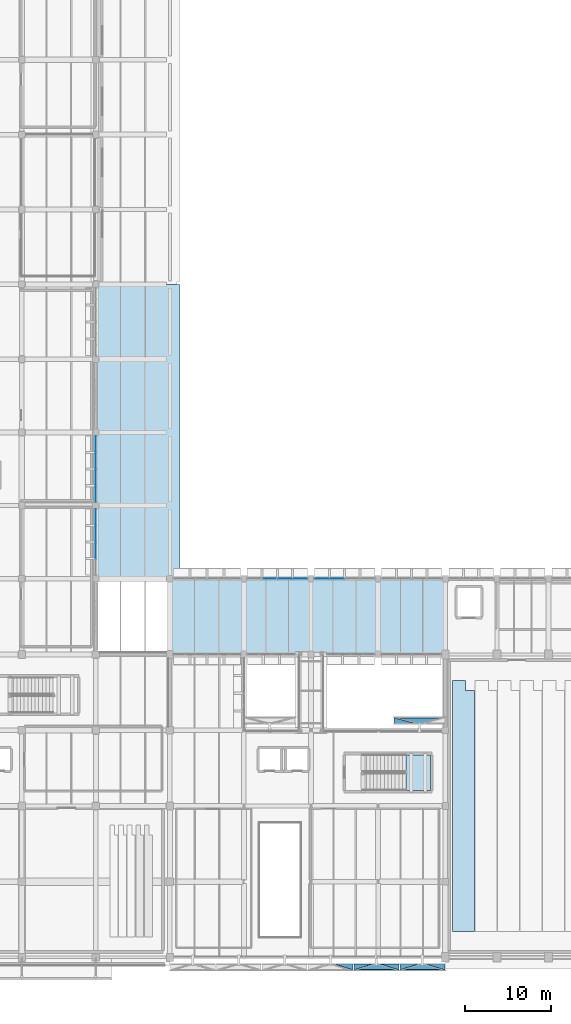
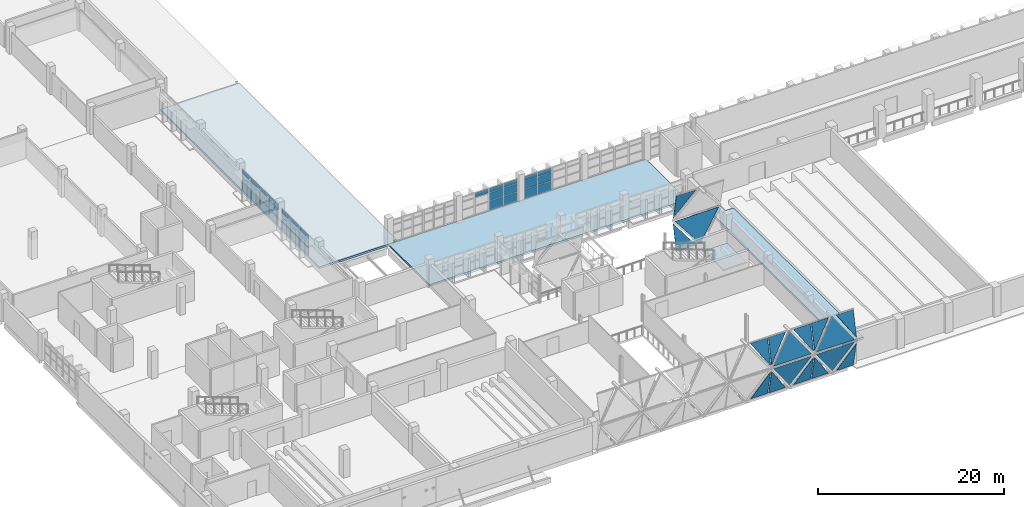
# One storey, part 51 of 80: 51 plates, 4 slabs, 12 elements without a shape of their own.
"""IFC4 building model written with IfcOpenShell, lengths in metres."""

import ifcopenshell
import ifcopenshell.guid

model = None  # the IFC model being written
_history = None  # IfcOwnerHistory: only IFC2X3 demands one
_inside = {}  # id of a spatial element -> (the spatial element, [elements in it])
_under = {}  # id of a project, library or spatial element -> (it, [spatial elements below it])
_declared = {}  # id of a project -> (the project, [libraries it declares])
_typed = {}  # id of a type object -> (the type object, [elements of that type])
_made_of = {}  # id of a material, layer set ... -> (it, [elements and type objects made of it])


def new_model(schema):
    """Start an empty IFC model of exactly this schema.

    Asked for "IFC4X3", IfcOpenShell would pick the latest addendum, in which some entities
    have other attributes; the version numbers below select the first issue.
    IFC2X3 requires an IfcOwnerHistory on every rooted entity: one is made here for all.
    """
    global model, _history
    if schema == "IFC4X3":
        model = ifcopenshell.file(schema_version=(4, 3, 0, 0))
    else:
        model = ifcopenshell.file(schema=schema)
    _inside.clear()
    _under.clear()
    _declared.clear()
    _typed.clear()
    _made_of.clear()
    _history = None
    if model.schema == "IFC2X3":
        org = make("IfcOrganization", Name="unknown")
        user = make(
            "IfcPersonAndOrganization",
            ThePerson=make("IfcPerson", FamilyName="unknown"),
            TheOrganization=org,
        )
        app = make(
            "IfcApplication",
            ApplicationDeveloper=org,
            Version="unknown",
            ApplicationFullName="unknown",
            ApplicationIdentifier="unknown",
        )
        _history = make(
            "IfcOwnerHistory",
            OwningUser=user,
            OwningApplication=app,
            ChangeAction="ADDED",
            CreationDate=0,
        )
    return model


def make(cls, **values):
    """One entity of the class cls with the attributes given. An attribute that is None is left unset."""
    return model.create_entity(
        cls, **{name: value for name, value in values.items() if value is not None}
    )


def rooted(cls, **values):
    """An entity with a GlobalId (a new one), such as an element, a storey or a relation."""
    return make(cls, GlobalId=ifcopenshell.guid.new(), OwnerHistory=_history, **values)


def si_unit(unit_type, name, prefix=None):
    """IfcSIUnit, for example si_unit("LENGTHUNIT", "METRE", prefix="MILLI")."""
    return make("IfcSIUnit", UnitType=unit_type, Prefix=prefix, Name=name)


def assignment(units):
    """IfcUnitAssignment: the units of a project."""
    return None if units is None else make("IfcUnitAssignment", Units=units)


def point(xyz):
    """IfcCartesianPoint."""
    return None if xyz is None else make("IfcCartesianPoint", Coordinates=xyz)


def direction(xyz):
    """IfcDirection."""
    return None if xyz is None else make("IfcDirection", DirectionRatios=xyz)


def frame(location, z_axis=None, x_axis=None):
    """IfcAxis2Placement3D, a coordinate frame: its origin and axes. An axis left out is left unset."""
    return make(
        "IfcAxis2Placement3D",
        Location=point(location),
        Axis=direction(z_axis),
        RefDirection=direction(x_axis),
    )


def frame_2d(location, x_axis=None):
    """IfcAxis2Placement2D, a coordinate frame in the plane: its origin and x axis."""
    return make(
        "IfcAxis2Placement2D", Location=point(location), RefDirection=direction(x_axis)
    )


def origin():
    """The frame at (0, 0, 0) with its axes left unset."""
    return frame((0.0, 0.0, 0.0))


def origin_2d():
    """The frame at (0, 0) in the plane with its x axis left unset."""
    return frame_2d((0.0, 0.0))


def place(relative_to, where):
    """IfcLocalPlacement: puts the frame where relative to a parent placement (None: the world)."""
    return make(
        "IfcLocalPlacement", PlacementRelTo=relative_to, RelativePlacement=where
    )


def context(
    kind, dimensions, precision=None, world=None, true_north=None, identifier=None
):
    """IfcGeometricRepresentationContext, for example the 3D "Model" context."""
    return make(
        "IfcGeometricRepresentationContext",
        ContextIdentifier=identifier,
        ContextType=kind,
        CoordinateSpaceDimension=dimensions,
        Precision=precision,
        WorldCoordinateSystem=world,
        TrueNorth=true_north,
    )


def subcontext(parent, identifier, kind, view, scale=None):
    """IfcGeometricRepresentationSubContext, for example "Body" below "Model"."""
    return make(
        "IfcGeometricRepresentationSubContext",
        ContextIdentifier=identifier,
        ContextType=kind,
        ParentContext=parent,
        TargetScale=scale,
        TargetView=view,
    )


def project(units=None, contexts=None):
    """IfcProject with its units and contexts."""
    return rooted(
        "IfcProject",
        Name="project",
        RepresentationContexts=contexts,
        UnitsInContext=assignment(units),
    )


def spatial(cls, under=None, at=None, **own):
    """A site, building, storey or space (cls), placed at a placement, below another one or the project."""
    s = rooted(cls, ObjectPlacement=at, **own)
    if under is not None:
        _under.setdefault(under.id(), (under, []))[1].append(s)
    return s


def polyline(points):
    """IfcPolyline through the points."""
    return make("IfcPolyline", Points=[point(p) for p in points])


def profile(cls, at=None, kind="AREA", **sizes):
    """A parametric profile (cls). Its sizes go by their IFC names, for example OverallWidth=200.0."""
    return make(cls, ProfileType=kind, Position=at, **sizes)


def rectangle(**sizes):
    """IfcRectangleProfileDef."""
    return profile("IfcRectangleProfileDef", **sizes)


def outline(outer, holes=None, kind="AREA"):
    """IfcArbitraryClosedProfileDef: a profile drawn as a closed curve; with holes, ...WithVoids."""
    if holes is None:
        return make("IfcArbitraryClosedProfileDef", ProfileType=kind, OuterCurve=outer)
    return make(
        "IfcArbitraryProfileDefWithVoids",
        ProfileType=kind,
        OuterCurve=outer,
        InnerCurves=holes,
    )


def extrude(swept, where, along, depth):
    """IfcExtrudedAreaSolid: the profile swept, set in the frame where, extruded along a direction by depth."""
    return make(
        "IfcExtrudedAreaSolid",
        SweptArea=swept,
        Position=where,
        ExtrudedDirection=direction(along),
        Depth=depth,
    )


def shape(context_of_items, identifier, shape_type, items):
    """IfcShapeRepresentation: the items that make up one representation, for example the "Body"."""
    return make(
        "IfcShapeRepresentation",
        ContextOfItems=context_of_items,
        RepresentationIdentifier=identifier,
        RepresentationType=shape_type,
        Items=items,
    )


def material(Name=None, Category=None):
    """IfcMaterial."""
    return make("IfcMaterial", Name=Name, Category=Category)


def layer(
    of_material, thickness, ventilated=None, Name=None, Category=None, Priority=None
):
    """IfcMaterialLayer: one layer of a wall or slab, of a material (None: an air gap)."""
    return make(
        "IfcMaterialLayer",
        Material=of_material,
        LayerThickness=thickness,
        IsVentilated=ventilated,
        Name=Name,
        Category=Category,
        Priority=Priority,
    )


def layer_set(layers, Name=None):
    """IfcMaterialLayerSet."""
    return make("IfcMaterialLayerSet", MaterialLayers=layers, LayerSetName=Name)


def made_of(thing, what):
    """Note that an element or type object is made of a material, layer set ...; save() writes the relation."""
    if what is not None:
        _made_of.setdefault(what.id(), (what, []))[1].append(thing)
    return thing


def type_object(cls, material=None, **own):
    """A type object (cls), such as IfcWallType, which elements share."""
    return made_of(rooted(cls, **own), material)


def element(
    cls,
    number,
    at=None,
    inside=None,
    cuts=None,
    type_object=None,
    material=None,
    context=None,
    identifier="Body",
    shape_type=None,
    held_by="IfcProductDefinitionShape",
    body=None,
    shapes=None,
    **own,
):
    """One element of the class cls, such as IfcWall. Its Tag is "e" and its number.

    at: its placement. inside: the storey or other place that contains it. cuts: it is an
    opening in that element (IfcRelVoidsElement). A single representation is given by context,
    identifier, shape_type and body (its items); several are given by shapes. held_by: the class
    of the entity that holds the representations. save() writes the other relations.
    """
    e = rooted(cls, Tag="e%d" % number, ObjectPlacement=at, **own)
    if body is not None:
        shapes = [shape(context, identifier, shape_type, body)]
    if shapes is not None:
        e.Representation = make(held_by, Representations=shapes)
    if inside is not None:
        _inside.setdefault(inside.id(), (inside, []))[1].append(e)
    if cuts is not None:
        rooted(
            "IfcRelVoidsElement", RelatingBuildingElement=cuts, RelatedOpeningElement=e
        )
    if type_object is not None:
        _typed.setdefault(type_object.id(), (type_object, []))[1].append(e)
    return made_of(e, material)


def aggregate(whole, parts):
    """IfcRelAggregates: a whole, such as a stair, and the parts it consists of."""
    return rooted("IfcRelAggregates", RelatingObject=whole, RelatedObjects=parts)


def save(model, path):
    """Write the relations noted so far, then the file.

    IfcRelAggregates (storeys below a building ...), IfcRelContainedInSpatialStructure (elements
    in a storey), IfcRelDefinesByType, IfcRelAssociatesMaterial and IfcRelDeclares: one each for
    every whole, place, type object, material and project.
    """
    for whole, parts in _under.values():
        aggregate(whole, parts)
    for where, things in _inside.values():
        rooted(
            "IfcRelContainedInSpatialStructure",
            RelatedElements=things,
            RelatingStructure=where,
        )
    for kind, things in _typed.values():
        rooted("IfcRelDefinesByType", RelatedObjects=things, RelatingType=kind)
    for what, things in _made_of.values():
        rooted("IfcRelAssociatesMaterial", RelatedObjects=things, RelatingMaterial=what)
    for by, libraries in _declared.values():
        rooted("IfcRelDeclares", RelatingContext=by, RelatedDefinitions=libraries)
    model.write(path)


model = new_model("IFC4")

# Units and contexts
model_context = context("Model", 3, precision=1e-05, world=origin(), true_north=direction((0.0, 1.0)))
body_context = subcontext(model_context, "Body", "Model", "MODEL_VIEW")
ifc_project = project(units=[si_unit("LENGTHUNIT", "METRE"), si_unit("AREAUNIT", "SQUARE_METRE"), si_unit("VOLUMEUNIT", "CUBIC_METRE"), si_unit("PLANEANGLEUNIT", "RADIAN"), si_unit("MASSUNIT", "GRAM", prefix="KILO")], contexts=[model_context])

# Site, building, storey
site_placement = place(None, origin())
site = spatial("IfcSite", under=ifc_project, at=site_placement, CompositionType="ELEMENT")
building_placement = place(site_placement, origin())
building = spatial("IfcBuilding", under=site, at=building_placement, Name="Varnakota Cinema and Media Centre", CompositionType="ELEMENT")
storey_placement = place(building_placement, frame((0.0, 0.0, 4.5)))
storey = spatial("IfcBuildingStorey", under=building, at=storey_placement, Name="L01", CompositionType="ELEMENT", Elevation=4.5)

# Curtain wall, plates
ifc_material_1 = material(Name="Anodised golden-bronze aluminium AW-6063", Category="aluminium")
curtain_wall_type_1 = type_object("IfcCurtainWallType", Name="CW-DMD-533x750", PredefinedType="USERDEFINED", material=ifc_material_1)
curtain_wall_1_placement = place(storey_placement, origin())
curtain_wall_1 = element("IfcCurtainWall", 1, at=curtain_wall_1_placement, inside=storey, type_object=curtain_wall_type_1, Name="L01 folded diamond foyer curtain wall CW-V6DMD-S-T1-D01", ObjectType="DIAMOND FOLDED CURTAIN WALL", PredefinedType="USERDEFINED")
ifc_material_2 = material(Name="Laminated solar-control double glazing", Category="glass")
ifc_layer_1 = layer(ifc_material_2, 0.028076171875)
ifc_layer_set_1 = layer_set([ifc_layer_1], Name="Laminated solar-control double glazing")
plate_type_1 = type_object("IfcPlateType", Name="CWP-DGU-28", PredefinedType="CURTAIN_PANEL", material=ifc_layer_set_1)
plate_1_placement = place(storey_placement, frame((74.719970703125, -1.410888671875, 3.610107421875), z_axis=(0.0, 0.979936434053, 0.199310273733), x_axis=(-0.558887907225, 0.165276691877, -0.812605637612)))
plate_1 = element("IfcPlate", 2, at=plate_1_placement, type_object=plate_type_1, Name="CW-V6DMD-S-T1-D01 lower diamond fitted glass facet", PredefinedType="CURTAIN_PANEL", context=body_context, shape_type="SweptSolid", body=[
    extrude(outline(polyline([(0.0, 0.0), (4.270478425359902, 2.220446049250313e-16), (2.667680047402581, 3.958138200047058), (0.0, 0.0)])), origin(), (0.0, 0.0, -1.0), 0.02392578125),
])
plate_2_placement = place(storey_placement, frame((74.719970703125, -1.410888671875, 3.889892578125), z_axis=(0.0, -0.979936434053, 0.199310273733), x_axis=(-1.0, 0.0, 0.0)))
plate_2 = element("IfcPlate", 3, at=plate_2_placement, type_object=plate_type_1, Name="CW-V6DMD-S-T1-D01 upper diamond fitted glass facet", PredefinedType="CURTAIN_PANEL", context=body_context, shape_type="SweptSolid", body=[
    extrude(outline(polyline([(0.0, 0.0), (4.773193359375, 0.0), (2.38671875, -3.5412652526834), (0.0, 0.0)])), origin(), (0.0, 0.0, -1.0), 0.02392578125),
])

curtain_wall_2_placement = place(storey_placement, origin())
curtain_wall_2 = element("IfcCurtainWall", 4, at=curtain_wall_2_placement, inside=storey, type_object=curtain_wall_type_1, Name="L01 folded diamond foyer curtain wall CW-V6DMD-S-T1-D02", ObjectType="DIAMOND FOLDED CURTAIN WALL", PredefinedType="USERDEFINED")
plate_3_placement = place(storey_placement, frame((69.38671875, -1.410888671875, 3.610107421875), z_axis=(0.0, 0.979936434053, 0.199310273733), x_axis=(-0.558887907225, 0.165276691877, -0.812605637612)))
plate_3 = element("IfcPlate", 5, at=plate_3_placement, type_object=plate_type_1, Name="CW-V6DMD-S-T1-D02 lower diamond fitted glass facet", PredefinedType="CURTAIN_PANEL", context=body_context, shape_type="SweptSolid", body=[
    extrude(outline(polyline([(0.0, 0.0), (4.270478425359902, 0.0), (2.6678164946455554, 3.9583406520034816), (0.0, 0.0)])), origin(), (0.0, 0.0, -1.0), 0.02392578125),
])
plate_4_placement = place(storey_placement, frame((69.38671875, -1.410888671875, 3.889892578125), z_axis=(0.0, -0.979936434053, 0.199310273733), x_axis=(-1.0, 0.0, 0.0)))
plate_4 = element("IfcPlate", 6, at=plate_4_placement, type_object=plate_type_1, Name="CW-V6DMD-S-T1-D02 upper diamond fitted glass facet", PredefinedType="CURTAIN_PANEL", context=body_context, shape_type="SweptSolid", body=[
    extrude(outline(polyline([(0.0, 0.0), (4.7734375, 0.0), (2.38671875, -3.5412652526833996), (0.0, 0.0)])), origin(), (0.0, 0.0, -1.0), 0.02392578125),
])

# Curtain wall, plate
ifc_material_3 = material(Name="Anodised golden-bronze aluminium AW-6063", Category="aluminium")
curtain_wall_type_2 = type_object("IfcCurtainWallType", Name="CW-DMD-600x750", PredefinedType="USERDEFINED", material=ifc_material_3)
curtain_wall_3_placement = place(storey_placement, origin())
curtain_wall_3 = element("IfcCurtainWall", 7, at=curtain_wall_3_placement, inside=storey, type_object=curtain_wall_type_2, Name="L01 folded diamond foyer curtain wall CW-V6DMD-N-T1E-D01", ObjectType="DIAMOND FOLDED CURTAIN WALL", PredefinedType="USERDEFINED")
plate_5_placement = place(storey_placement, frame((69.280029296875, 27.81103515625, 3.610107421875), z_axis=(0.0, -0.979922966914, 0.199376475328), x_axis=(0.609131363527, -0.158119370193, -0.777146863043)))
plate_5 = element("IfcPlate", 8, at=plate_5_placement, type_object=plate_type_1, Name="CW-V6DMD-N-T1E-D01 lower diamond fitted glass facet", PredefinedType="CURTAIN_PANEL", context=body_context, shape_type="SweptSolid", body=[
    extrude(outline(polyline([(0.0, 0.0), (4.465326965562753, 0.0), (3.3136389262934642, 4.314250754138652), (0.0, 0.0)])), origin(), (0.0, 0.0, -1.0), 0.02392578125),
])

ifc_material_4 = material(Name="Thermally broken anodised aluminium AW-6063", Category="aluminium")
curtain_wall_type_3 = type_object("IfcCurtainWallType", Name="CW-STD-352x304", PredefinedType="USERDEFINED", material=ifc_material_4)
curtain_wall_4_placement = place(storey_placement, origin())
curtain_wall_4 = element("IfcCurtainWall", 9, at=curtain_wall_4_placement, inside=storey, type_object=curtain_wall_type_3, Name="L01 curtain wall CW-L01-LINK-N-02-1", ObjectType="UNITISED CURTAIN WALL", PredefinedType="USERDEFINED")
plate_6_placement = place(storey_placement, frame((54.57177734375, 44.0, 2.399658203125), z_axis=(0.0, 0.0, 1.0), x_axis=(1.0, 0.0, 0.0)))
plate_6 = element("IfcPlate", 10, at=plate_6_placement, type_object=plate_type_1, Name="CW19 panel 2.3", PredefinedType="CURTAIN_PANEL", context=body_context, shape_type="SweptSolid", body=[
    extrude(rectangle(XDim=1.6611328125, YDim=0.028076171875, at=origin_2d()), origin(), (0.0, 0.0, 1.0), 0.5703125),
])
aggregate(curtain_wall_4, [plate_6])

# Curtain wall, plates
curtain_wall_5_placement = place(storey_placement, origin())
curtain_wall_5 = element("IfcCurtainWall", 11, at=curtain_wall_5_placement, inside=storey, type_object=curtain_wall_type_3, Name="L01 curtain wall CW-L01-LINK-N-02-2", ObjectType="UNITISED CURTAIN WALL", PredefinedType="USERDEFINED")
plate_7_placement = place(storey_placement, frame((56.403076171875, 44.0, 0.06494140625), z_axis=(0.0, 0.0, 1.0), x_axis=(1.0, 0.0, 0.0)))
plate_7 = element("IfcPlate", 12, at=plate_7_placement, type_object=plate_type_1, Name="CW19 panel 1.1", PredefinedType="CURTAIN_PANEL", context=body_context, shape_type="SweptSolid", body=[
    extrude(rectangle(XDim=1.6611328125, YDim=0.028076171875, at=origin_2d()), origin(), (0.0, 0.0, 1.0), 1.17724609375),
])
plate_8_placement = place(storey_placement, frame((56.403076171875, 44.0, 1.30712890625), z_axis=(0.0, 0.0, 1.0), x_axis=(1.0, 0.0, 0.0)))
plate_8 = element("IfcPlate", 13, at=plate_8_placement, type_object=plate_type_1, Name="CW19 panel 1.2", PredefinedType="CURTAIN_PANEL", context=body_context, shape_type="SweptSolid", body=[
    extrude(rectangle(XDim=1.6611328125, YDim=0.028076171875, at=origin_2d()), origin(), (0.0, 0.0, 1.0), 1.027587890625),
])
plate_9_placement = place(storey_placement, frame((56.403076171875, 44.0, 2.399658203125), z_axis=(0.0, 0.0, 1.0), x_axis=(1.0, 0.0, 0.0)))
plate_9 = element("IfcPlate", 14, at=plate_9_placement, type_object=plate_type_1, Name="CW19 panel 1.3", PredefinedType="CURTAIN_PANEL", context=body_context, shape_type="SweptSolid", body=[
    extrude(rectangle(XDim=1.6611328125, YDim=0.028076171875, at=origin_2d()), origin(), (0.0, 0.0, 1.0), 0.5703125),
])
plate_10_placement = place(storey_placement, frame((58.12939453125, 44.0, 0.06494140625), z_axis=(0.0, 0.0, 1.0), x_axis=(1.0, 0.0, 0.0)))
plate_10 = element("IfcPlate", 15, at=plate_10_placement, type_object=plate_type_1, Name="CW19 panel 2.1", PredefinedType="CURTAIN_PANEL", context=body_context, shape_type="SweptSolid", body=[
    extrude(rectangle(XDim=1.6611328125, YDim=0.028076171875, at=origin_2d()), origin(), (0.0, 0.0, 1.0), 1.17724609375),
])
plate_11_placement = place(storey_placement, frame((58.12939453125, 44.0, 1.30712890625), z_axis=(0.0, 0.0, 1.0), x_axis=(1.0, 0.0, 0.0)))
plate_11 = element("IfcPlate", 16, at=plate_11_placement, type_object=plate_type_1, Name="CW19 panel 2.2", PredefinedType="CURTAIN_PANEL", context=body_context, shape_type="SweptSolid", body=[
    extrude(rectangle(XDim=1.6611328125, YDim=0.028076171875, at=origin_2d()), origin(), (0.0, 0.0, 1.0), 1.027587890625),
])
plate_12_placement = place(storey_placement, frame((58.12939453125, 44.0, 2.399658203125), z_axis=(0.0, 0.0, 1.0), x_axis=(1.0, 0.0, 0.0)))
plate_12 = element("IfcPlate", 17, at=plate_12_placement, type_object=plate_type_1, Name="CW19 panel 2.3", PredefinedType="CURTAIN_PANEL", context=body_context, shape_type="SweptSolid", body=[
    extrude(rectangle(XDim=1.6611328125, YDim=0.028076171875, at=origin_2d()), origin(), (0.0, 0.0, 1.0), 0.5703125),
])
aggregate(curtain_wall_5, [plate_7, plate_8, plate_9, plate_10, plate_11, plate_12])

curtain_wall_6_placement = place(storey_placement, origin())
curtain_wall_6 = element("IfcCurtainWall", 18, at=curtain_wall_6_placement, inside=storey, type_object=curtain_wall_type_3, Name="L01 curtain wall CW-L01-LINK-N-03-1", ObjectType="UNITISED CURTAIN WALL", PredefinedType="USERDEFINED")
plate_13_placement = place(storey_placement, frame((60.670654296875, 44.0, 0.06494140625), z_axis=(0.0, 0.0, 1.0), x_axis=(1.0, 0.0, 0.0)))
plate_13 = element("IfcPlate", 19, at=plate_13_placement, type_object=plate_type_1, Name="CW19 panel 1.1", PredefinedType="CURTAIN_PANEL", context=body_context, shape_type="SweptSolid", body=[
    extrude(rectangle(XDim=1.6611328125, YDim=0.028076171875, at=origin_2d()), origin(), (0.0, 0.0, 1.0), 1.17724609375),
])
plate_14_placement = place(storey_placement, frame((60.670654296875, 44.0, 1.30712890625), z_axis=(0.0, 0.0, 1.0), x_axis=(1.0, 0.0, 0.0)))
plate_14 = element("IfcPlate", 20, at=plate_14_placement, type_object=plate_type_1, Name="CW19 panel 1.2", PredefinedType="CURTAIN_PANEL", context=body_context, shape_type="SweptSolid", body=[
    extrude(rectangle(XDim=1.6611328125, YDim=0.028076171875, at=origin_2d()), origin(), (0.0, 0.0, 1.0), 1.027587890625),
])
plate_15_placement = place(storey_placement, frame((60.670654296875, 44.0, 2.399658203125), z_axis=(0.0, 0.0, 1.0), x_axis=(1.0, 0.0, 0.0)))
plate_15 = element("IfcPlate", 21, at=plate_15_placement, type_object=plate_type_1, Name="CW19 panel 1.3", PredefinedType="CURTAIN_PANEL", context=body_context, shape_type="SweptSolid", body=[
    extrude(rectangle(XDim=1.6611328125, YDim=0.028076171875, at=origin_2d()), origin(), (0.0, 0.0, 1.0), 0.5703125),
])
plate_16_placement = place(storey_placement, frame((62.39697265625, 44.0, 0.06494140625), z_axis=(0.0, 0.0, 1.0), x_axis=(1.0, 0.0, 0.0)))
plate_16 = element("IfcPlate", 22, at=plate_16_placement, type_object=plate_type_1, Name="CW19 panel 2.1", PredefinedType="CURTAIN_PANEL", context=body_context, shape_type="SweptSolid", body=[
    extrude(rectangle(XDim=1.6611328125, YDim=0.028076171875, at=origin_2d()), origin(), (0.0, 0.0, 1.0), 1.17724609375),
])
plate_17_placement = place(storey_placement, frame((62.39697265625, 44.0, 1.30712890625), z_axis=(0.0, 0.0, 1.0), x_axis=(1.0, 0.0, 0.0)))
plate_17 = element("IfcPlate", 23, at=plate_17_placement, type_object=plate_type_1, Name="CW19 panel 2.2", PredefinedType="CURTAIN_PANEL", context=body_context, shape_type="SweptSolid", body=[
    extrude(rectangle(XDim=1.6611328125, YDim=0.028076171875, at=origin_2d()), origin(), (0.0, 0.0, 1.0), 1.027587890625),
])
plate_18_placement = place(storey_placement, frame((62.39697265625, 44.0, 2.399658203125), z_axis=(0.0, 0.0, 1.0), x_axis=(1.0, 0.0, 0.0)))
plate_18 = element("IfcPlate", 24, at=plate_18_placement, type_object=plate_type_1, Name="CW19 panel 2.3", PredefinedType="CURTAIN_PANEL", context=body_context, shape_type="SweptSolid", body=[
    extrude(rectangle(XDim=1.6611328125, YDim=0.028076171875, at=origin_2d()), origin(), (0.0, 0.0, 1.0), 0.5703125),
])
aggregate(curtain_wall_6, [plate_13, plate_14, plate_15, plate_16, plate_17, plate_18])

ifc_material_5 = material(Name="Thermally broken anodised aluminium AW-6063", Category="aluminium")
curtain_wall_type_4 = type_object("IfcCurtainWallType", Name="CW-STD-384x284", PredefinedType="USERDEFINED", material=ifc_material_5)
curtain_wall_7_placement = place(storey_placement, origin())
curtain_wall_7 = element("IfcCurtainWall", 25, at=curtain_wall_7_placement, inside=storey, type_object=curtain_wall_type_4, Name="L01 curtain wall CW-L01-V5-E-02-1", ObjectType="UNITISED CURTAIN WALL", PredefinedType="USERDEFINED")
plate_19_placement = place(storey_placement, frame((34.39990234375, 47.265625, 0.06494140625), z_axis=(0.0, 0.0, 1.0), x_axis=(0.0, 1.0, 0.0)))
plate_19 = element("IfcPlate", 26, at=plate_19_placement, type_object=plate_type_1, Name="CW25 panel 2.1", PredefinedType="CURTAIN_PANEL", context=body_context, shape_type="SweptSolid", body=[
    extrude(rectangle(XDim=1.82373046875, YDim=0.028076171875, at=origin_2d()), origin(), (0.0, 0.0, 1.0), 1.09326171875),
])
plate_20_placement = place(storey_placement, frame((34.39990234375, 47.265625, 1.22314453125), z_axis=(0.0, 0.0, 1.0), x_axis=(0.0, 1.0, 0.0)))
plate_20 = element("IfcPlate", 27, at=plate_20_placement, type_object=plate_type_1, Name="CW25 panel 2.2", PredefinedType="CURTAIN_PANEL", context=body_context, shape_type="SweptSolid", body=[
    extrude(rectangle(XDim=1.82373046875, YDim=0.028076171875, at=origin_2d()), origin(), (0.0, 0.0, 1.0), 0.95556640625),
])
plate_21_placement = place(storey_placement, frame((34.39990234375, 47.265625, 2.24365234375), z_axis=(0.0, 0.0, 1.0), x_axis=(0.0, 1.0, 0.0)))
plate_21 = element("IfcPlate", 28, at=plate_21_placement, type_object=plate_type_1, Name="CW25 panel 2.3", PredefinedType="CURTAIN_PANEL", context=body_context, shape_type="SweptSolid", body=[
    extrude(rectangle(XDim=1.82373046875, YDim=0.028076171875, at=origin_2d()), origin(), (0.0, 0.0, 1.0), 0.526123046875),
])
aggregate(curtain_wall_7, [plate_19, plate_20, plate_21])

curtain_wall_8_placement = place(storey_placement, origin())
curtain_wall_8 = element("IfcCurtainWall", 29, at=curtain_wall_8_placement, inside=storey, type_object=curtain_wall_type_4, Name="L01 curtain wall CW-L01-V5-E-02-2", ObjectType="UNITISED CURTAIN WALL", PredefinedType="USERDEFINED")
plate_22_placement = place(storey_placement, frame((34.39990234375, 49.25927734375, 0.06494140625), z_axis=(0.0, 0.0, 1.0), x_axis=(0.0, 1.0, 0.0)))
plate_22 = element("IfcPlate", 30, at=plate_22_placement, type_object=plate_type_1, Name="CW25 panel 1.1", PredefinedType="CURTAIN_PANEL", context=body_context, shape_type="SweptSolid", body=[
    extrude(rectangle(XDim=1.82373046875, YDim=0.028076171875, at=origin_2d()), origin(), (0.0, 0.0, 1.0), 1.09326171875),
])
plate_23_placement = place(storey_placement, frame((34.39990234375, 49.25927734375, 1.22314453125), z_axis=(0.0, 0.0, 1.0), x_axis=(0.0, 1.0, 0.0)))
plate_23 = element("IfcPlate", 31, at=plate_23_placement, type_object=plate_type_1, Name="CW25 panel 1.2", PredefinedType="CURTAIN_PANEL", context=body_context, shape_type="SweptSolid", body=[
    extrude(rectangle(XDim=1.82373046875, YDim=0.028076171875, at=origin_2d()), origin(), (0.0, 0.0, 1.0), 0.95556640625),
])
plate_24_placement = place(storey_placement, frame((34.39990234375, 49.25927734375, 2.24365234375), z_axis=(0.0, 0.0, 1.0), x_axis=(0.0, 1.0, 0.0)))
plate_24 = element("IfcPlate", 32, at=plate_24_placement, type_object=plate_type_1, Name="CW25 panel 1.3", PredefinedType="CURTAIN_PANEL", context=body_context, shape_type="SweptSolid", body=[
    extrude(rectangle(XDim=1.82373046875, YDim=0.028076171875, at=origin_2d()), origin(), (0.0, 0.0, 1.0), 0.526123046875),
])
plate_25_placement = place(storey_placement, frame((34.39990234375, 51.148193359375, 0.06494140625), z_axis=(0.0, 0.0, 1.0), x_axis=(0.0, 1.0, 0.0)))
plate_25 = element("IfcPlate", 33, at=plate_25_placement, type_object=plate_type_1, Name="CW25 panel 2.1", PredefinedType="CURTAIN_PANEL", context=body_context, shape_type="SweptSolid", body=[
    extrude(rectangle(XDim=1.82373046875, YDim=0.028076171875, at=origin_2d()), origin(), (0.0, 0.0, 1.0), 1.09326171875),
])
plate_26_placement = place(storey_placement, frame((34.39990234375, 51.148193359375, 1.22314453125), z_axis=(0.0, 0.0, 1.0), x_axis=(0.0, 1.0, 0.0)))
plate_26 = element("IfcPlate", 34, at=plate_26_placement, type_object=plate_type_1, Name="CW25 panel 2.2", PredefinedType="CURTAIN_PANEL", context=body_context, shape_type="SweptSolid", body=[
    extrude(rectangle(XDim=1.82373046875, YDim=0.028076171875, at=origin_2d()), origin(), (0.0, 0.0, 1.0), 0.95556640625),
])
plate_27_placement = place(storey_placement, frame((34.39990234375, 51.148193359375, 2.24365234375), z_axis=(0.0, 0.0, 1.0), x_axis=(0.0, 1.0, 0.0)))
plate_27 = element("IfcPlate", 35, at=plate_27_placement, type_object=plate_type_1, Name="CW25 panel 2.3", PredefinedType="CURTAIN_PANEL", context=body_context, shape_type="SweptSolid", body=[
    extrude(rectangle(XDim=1.82373046875, YDim=0.028076171875, at=origin_2d()), origin(), (0.0, 0.0, 1.0), 0.526123046875),
])
aggregate(curtain_wall_8, [plate_22, plate_23, plate_24, plate_25, plate_26, plate_27])

ifc_material_6 = material(Name="Thermally broken anodised aluminium AW-6063", Category="aluminium")
curtain_wall_type_5 = type_object("IfcCurtainWallType", Name="CW-STD-384x288", PredefinedType="USERDEFINED", material=ifc_material_6)
curtain_wall_9_placement = place(storey_placement, origin())
curtain_wall_9 = element("IfcCurtainWall", 36, at=curtain_wall_9_placement, inside=storey, type_object=curtain_wall_type_5, Name="L01 curtain wall CW-L01-V5-E-03-1", ObjectType="UNITISED CURTAIN WALL", PredefinedType="USERDEFINED")
plate_28_placement = place(storey_placement, frame((34.39990234375, 53.851806640625, 0.06494140625), z_axis=(0.0, 0.0, 1.0), x_axis=(0.0, 1.0, 0.0)))
plate_28 = element("IfcPlate", 37, at=plate_28_placement, type_object=plate_type_1, Name="CW26 panel 1.1", PredefinedType="CURTAIN_PANEL", context=body_context, shape_type="SweptSolid", body=[
    extrude(rectangle(XDim=1.82373046875, YDim=0.028076171875, at=origin_2d()), origin(), (0.0, 0.0, 1.0), 1.1142578125),
])
plate_29_placement = place(storey_placement, frame((34.39990234375, 53.851806640625, 1.244140625), z_axis=(0.0, 0.0, 1.0), x_axis=(0.0, 1.0, 0.0)))
plate_29 = element("IfcPlate", 38, at=plate_29_placement, type_object=plate_type_1, Name="CW26 panel 1.2", PredefinedType="CURTAIN_PANEL", context=body_context, shape_type="SweptSolid", body=[
    extrude(rectangle(XDim=1.82373046875, YDim=0.028076171875, at=origin_2d()), origin(), (0.0, 0.0, 1.0), 0.9736328125),
])
plate_30_placement = place(storey_placement, frame((34.39990234375, 53.851806640625, 2.282958984375), z_axis=(0.0, 0.0, 1.0), x_axis=(0.0, 1.0, 0.0)))
plate_30 = element("IfcPlate", 39, at=plate_30_placement, type_object=plate_type_1, Name="CW26 panel 1.3", PredefinedType="CURTAIN_PANEL", context=body_context, shape_type="SweptSolid", body=[
    extrude(rectangle(XDim=1.82373046875, YDim=0.028076171875, at=origin_2d()), origin(), (0.0, 0.0, 1.0), 0.537109375),
])
plate_31_placement = place(storey_placement, frame((34.39990234375, 55.74072265625, 0.06494140625), z_axis=(0.0, 0.0, 1.0), x_axis=(0.0, 1.0, 0.0)))
plate_31 = element("IfcPlate", 40, at=plate_31_placement, type_object=plate_type_1, Name="CW26 panel 2.1", PredefinedType="CURTAIN_PANEL", context=body_context, shape_type="SweptSolid", body=[
    extrude(rectangle(XDim=1.82373046875, YDim=0.028076171875, at=origin_2d()), origin(), (0.0, 0.0, 1.0), 1.1142578125),
])
plate_32_placement = place(storey_placement, frame((34.39990234375, 55.74072265625, 1.244140625), z_axis=(0.0, 0.0, 1.0), x_axis=(0.0, 1.0, 0.0)))
plate_32 = element("IfcPlate", 41, at=plate_32_placement, type_object=plate_type_1, Name="CW26 panel 2.2", PredefinedType="CURTAIN_PANEL", context=body_context, shape_type="SweptSolid", body=[
    extrude(rectangle(XDim=1.82373046875, YDim=0.028076171875, at=origin_2d()), origin(), (0.0, 0.0, 1.0), 0.9736328125),
])
plate_33_placement = place(storey_placement, frame((34.39990234375, 55.74072265625, 2.282958984375), z_axis=(0.0, 0.0, 1.0), x_axis=(0.0, 1.0, 0.0)))
plate_33 = element("IfcPlate", 42, at=plate_33_placement, type_object=plate_type_1, Name="CW26 panel 2.3", PredefinedType="CURTAIN_PANEL", context=body_context, shape_type="SweptSolid", body=[
    extrude(rectangle(XDim=1.82373046875, YDim=0.028076171875, at=origin_2d()), origin(), (0.0, 0.0, 1.0), 0.537109375),
])
aggregate(curtain_wall_9, [plate_28, plate_29, plate_30, plate_31, plate_32, plate_33])

curtain_wall_10_placement = place(storey_placement, origin())
curtain_wall_10 = element("IfcCurtainWall", 43, at=curtain_wall_10_placement, inside=storey, type_object=curtain_wall_type_5, Name="L01 curtain wall CW-L01-V5-E-03-2", ObjectType="UNITISED CURTAIN WALL", PredefinedType="USERDEFINED")
plate_34_placement = place(storey_placement, frame((34.39990234375, 57.734375, 0.06494140625), z_axis=(0.0, 0.0, 1.0), x_axis=(0.0, 1.0, 0.0)))
plate_34 = element("IfcPlate", 44, at=plate_34_placement, type_object=plate_type_1, Name="CW26 panel 1.1", PredefinedType="CURTAIN_PANEL", context=body_context, shape_type="SweptSolid", body=[
    extrude(rectangle(XDim=1.82373046875, YDim=0.028076171875, at=origin_2d()), origin(), (0.0, 0.0, 1.0), 1.1142578125),
])
plate_35_placement = place(storey_placement, frame((34.39990234375, 57.734375, 1.244140625), z_axis=(0.0, 0.0, 1.0), x_axis=(0.0, 1.0, 0.0)))
plate_35 = element("IfcPlate", 45, at=plate_35_placement, type_object=plate_type_1, Name="CW26 panel 1.2", PredefinedType="CURTAIN_PANEL", context=body_context, shape_type="SweptSolid", body=[
    extrude(rectangle(XDim=1.82373046875, YDim=0.028076171875, at=origin_2d()), origin(), (0.0, 0.0, 1.0), 0.9736328125),
])
plate_36_placement = place(storey_placement, frame((34.39990234375, 57.734375, 2.282958984375), z_axis=(0.0, 0.0, 1.0), x_axis=(0.0, 1.0, 0.0)))
plate_36 = element("IfcPlate", 46, at=plate_36_placement, type_object=plate_type_1, Name="CW26 panel 1.3", PredefinedType="CURTAIN_PANEL", context=body_context, shape_type="SweptSolid", body=[
    extrude(rectangle(XDim=1.82373046875, YDim=0.028076171875, at=origin_2d()), origin(), (0.0, 0.0, 1.0), 0.537109375),
])
plate_37_placement = place(storey_placement, frame((34.39990234375, 59.623046875, 0.06494140625), z_axis=(0.0, 0.0, 1.0), x_axis=(0.0, 1.0, 0.0)))
plate_37 = element("IfcPlate", 47, at=plate_37_placement, type_object=plate_type_1, Name="CW26 panel 2.1", PredefinedType="CURTAIN_PANEL", context=body_context, shape_type="SweptSolid", body=[
    extrude(rectangle(XDim=1.82373046875, YDim=0.028076171875, at=origin_2d()), origin(), (0.0, 0.0, 1.0), 1.1142578125),
])
plate_38_placement = place(storey_placement, frame((34.39990234375, 59.623046875, 1.244140625), z_axis=(0.0, 0.0, 1.0), x_axis=(0.0, 1.0, 0.0)))
plate_38 = element("IfcPlate", 48, at=plate_38_placement, type_object=plate_type_1, Name="CW26 panel 2.2", PredefinedType="CURTAIN_PANEL", context=body_context, shape_type="SweptSolid", body=[
    extrude(rectangle(XDim=1.82373046875, YDim=0.028076171875, at=origin_2d()), origin(), (0.0, 0.0, 1.0), 0.9736328125),
])
plate_39_placement = place(storey_placement, frame((34.39990234375, 59.623046875, 2.282958984375), z_axis=(0.0, 0.0, 1.0), x_axis=(0.0, 1.0, 0.0)))
plate_39 = element("IfcPlate", 49, at=plate_39_placement, type_object=plate_type_1, Name="CW26 panel 2.3", PredefinedType="CURTAIN_PANEL", context=body_context, shape_type="SweptSolid", body=[
    extrude(rectangle(XDim=1.82373046875, YDim=0.028076171875, at=origin_2d()), origin(), (0.0, 0.0, 1.0), 0.537109375),
])
aggregate(curtain_wall_10, [plate_34, plate_35, plate_36, plate_37, plate_38, plate_39])

# Plate
ifc_material_7 = material(Name="Anodised golden-bronze aluminium AW-6063", Category="aluminium")
ifc_layer_2 = layer(ifc_material_7, 0.035888671875)
ifc_layer_set_2 = layer_set([ifc_layer_2], Name="Anodised golden-bronze aluminium AW-6063")
plate_type_2 = type_object("IfcPlateType", Name="CWP-GOLD-36", PredefinedType="CURTAIN_PANEL", material=ifc_layer_set_2)
plate_40_placement = place(storey_placement, frame((74.93994140625, -0.778076171875, 0.10009765625), z_axis=(0.0, 0.979925277754, 0.199365117357), x_axis=(-1.0, 0.0, 0.0)))
plate_40 = element("IfcPlate", 50, at=plate_40_placement, type_object=plate_type_2, Name="CW-V6DMD-S-T1-D01 golden metal folded diamond spandrel SP-BL", PredefinedType="CURTAIN_PANEL", context=body_context, shape_type="SweptSolid", body=[
    extrude(outline(polyline([(0.0, 0.0), (2.126708984375, 0.0), (0.0, 3.337009061287777), (0.0, 0.0)])), origin(), (0.0, 0.0, -1.0), 0.028076171875),
])

plate_41_placement = place(storey_placement, frame((71.853271484375, -0.778076171875, 0.10009765625), z_axis=(0.0, 0.979925277754, 0.199365117357), x_axis=(-1.0, 0.0, 0.0)))
plate_41 = element("IfcPlate", 51, at=plate_41_placement, type_object=plate_type_2, Name="CW-V6DMD-S-T1-D01 golden metal folded diamond spandrel SP-BR", PredefinedType="CURTAIN_PANEL", context=body_context, shape_type="SweptSolid", body=[
    extrude(outline(polyline([(0.0, 0.0), (2.126708984375, 0.0), (2.126708984375, 3.337009061287777), (0.0, 0.0)])), origin(), (0.0, 0.0, -1.0), 0.028076171875),
])

plate_42_placement = place(storey_placement, frame((74.93994140625, -1.443359375, 4.1298828125), z_axis=(0.0, -0.979925277754, 0.199365117357), x_axis=(-0.537443360527, 0.168124573233, 0.826370838124)))
plate_42 = element("IfcPlate", 52, at=plate_42_placement, type_object=plate_type_2, Name="CW-V6DMD-S-T1-D01 golden metal folded diamond spandrel SP-TL", PredefinedType="CURTAIN_PANEL", context=body_context, shape_type="SweptSolid", body=[
    extrude(outline(polyline([(0.0, 0.0), (3.957084858748682, -2.220446049250313e-16), (2.814099235323971, -1.7934533640063717), (0.0, 0.0)])), origin(), (0.0, 0.0, -1.0), 0.028076171875),
])

plate_43_placement = place(storey_placement, frame((69.7265625, -1.443359375, 4.1298828125), z_axis=(0.0, -0.979925277754, 0.199365117357), x_axis=(0.0, 0.199365117357, 0.979925277754)))
plate_43 = element("IfcPlate", 53, at=plate_43_placement, type_object=plate_type_2, Name="CW-V6DMD-S-T1-D01 golden metal folded diamond spandrel SP-TR", PredefinedType="CURTAIN_PANEL", context=body_context, shape_type="SweptSolid", body=[
    extrude(outline(polyline([(0.0, 0.0), (3.337009061287777, 0.0), (3.337009061287777, -2.126708984375), (0.0, 0.0)])), origin(), (0.0, 0.0, -1.0), 0.028076171875),
])

aggregate(curtain_wall_1, [plate_1, plate_2, plate_40, plate_41, plate_42, plate_43])

plate_44_placement = place(storey_placement, frame((69.606689453125, -0.778076171875, 0.10009765625), z_axis=(0.0, 0.979925277754, 0.199365117357), x_axis=(-1.0, 0.0, 0.0)))
plate_44 = element("IfcPlate", 54, at=plate_44_placement, type_object=plate_type_2, Name="CW-V6DMD-S-T1-D02 golden metal folded diamond spandrel SP-BL", PredefinedType="CURTAIN_PANEL", context=body_context, shape_type="SweptSolid", body=[
    extrude(outline(polyline([(0.0, 0.0), (2.126708984375, 0.0), (0.0, 3.337009061287777), (0.0, 0.0)])), origin(), (0.0, 0.0, -1.0), 0.028076171875),
])

plate_45_placement = place(storey_placement, frame((66.52001953125, -0.778076171875, 0.10009765625), z_axis=(0.0, 0.979925277754, 0.199365117357), x_axis=(-1.0, 0.0, 0.0)))
plate_45 = element("IfcPlate", 55, at=plate_45_placement, type_object=plate_type_2, Name="CW-V6DMD-S-T1-D02 golden metal folded diamond spandrel SP-BR", PredefinedType="CURTAIN_PANEL", context=body_context, shape_type="SweptSolid", body=[
    extrude(outline(polyline([(0.0, 0.0), (2.126708984375, 0.0), (2.126708984375, 3.337009061287777), (0.0, 0.0)])), origin(), (0.0, 0.0, -1.0), 0.028076171875),
])

plate_46_placement = place(storey_placement, frame((69.606689453125, -1.443359375, 4.1298828125), z_axis=(0.0, -0.979925277754, 0.199365117357), x_axis=(-0.537443360527, 0.168124573233, 0.826370838124)))
plate_46 = element("IfcPlate", 56, at=plate_46_placement, type_object=plate_type_2, Name="CW-V6DMD-S-T1-D02 golden metal folded diamond spandrel SP-TL", PredefinedType="CURTAIN_PANEL", context=body_context, shape_type="SweptSolid", body=[
    extrude(outline(polyline([(0.0, 0.0), (3.957084858748682, -2.220446049250313e-16), (2.814099235323971, -1.7934533640063717), (0.0, 0.0)])), origin(), (0.0, 0.0, -1.0), 0.028076171875),
])

plate_47_placement = place(storey_placement, frame((64.393310546875, -1.443359375, 4.1298828125), z_axis=(0.0, -0.979925277754, 0.199365117357), x_axis=(0.0, 0.199365117357, 0.979925277754)))
plate_47 = element("IfcPlate", 57, at=plate_47_placement, type_object=plate_type_2, Name="CW-V6DMD-S-T1-D02 golden metal folded diamond spandrel SP-TR", PredefinedType="CURTAIN_PANEL", context=body_context, shape_type="SweptSolid", body=[
    extrude(outline(polyline([(0.0, 0.0), (3.337009061287777, 0.0), (3.337009061287777, -2.126708984375), (0.0, 0.0)])), origin(), (0.0, 0.0, -1.0), 0.028076171875),
])

aggregate(curtain_wall_2, [plate_3, plate_4, plate_44, plate_45, plate_46, plate_47])

# Curtain wall, plates
curtain_wall_11_placement = place(storey_placement, origin())
curtain_wall_11 = element("IfcCurtainWall", 58, at=curtain_wall_11_placement, inside=storey, type_object=curtain_wall_type_1, Name="L01 folded diamond foyer curtain wall CW-V6DMD-S-T1-D03", ObjectType="DIAMOND FOLDED CURTAIN WALL", PredefinedType="USERDEFINED")
plate_48_placement = place(storey_placement, frame((64.2734375, -0.778076171875, 0.10009765625), z_axis=(0.0, 0.979925277754, 0.199365117357), x_axis=(-1.0, 0.0, 0.0)))
plate_48 = element("IfcPlate", 59, at=plate_48_placement, type_object=plate_type_2, Name="CW-V6DMD-S-T1-D03 golden metal folded diamond spandrel SP-BL", PredefinedType="CURTAIN_PANEL", context=body_context, shape_type="SweptSolid", body=[
    extrude(outline(polyline([(0.0, 0.0), (2.126708984375, 0.0), (0.0, 3.337009061287777), (0.0, 0.0)])), origin(), (0.0, 0.0, -1.0), 0.028076171875),
])
plate_49_placement = place(storey_placement, frame((64.2734375, -1.443359375, 4.1298828125), z_axis=(0.0, -0.979925277754, 0.199365117357), x_axis=(-0.537443360527, 0.168124573233, 0.826370838124)))
plate_49 = element("IfcPlate", 60, at=plate_49_placement, type_object=plate_type_2, Name="CW-V6DMD-S-T1-D03 golden metal folded diamond spandrel SP-TL", PredefinedType="CURTAIN_PANEL", context=body_context, shape_type="SweptSolid", body=[
    extrude(outline(polyline([(0.0, 0.0), (3.957084858748682, -2.220446049250313e-16), (2.814099235323971, -1.7934533640063717), (0.0, 0.0)])), origin(), (0.0, 0.0, -1.0), 0.028076171875),
])
aggregate(curtain_wall_11, [plate_48, plate_49])

# Plate
plate_50_placement = place(storey_placement, frame((69.06005859375, 27.177978515625, 0.10009765625), z_axis=(0.0, -0.979925277754, 0.199365117357), x_axis=(1.0, 0.0, 0.0)))
plate_50 = element("IfcPlate", 61, at=plate_50_placement, type_object=plate_type_2, Name="CW-V6DMD-N-T1E-D01 golden metal folded diamond spandrel SP-BL", PredefinedType="CURTAIN_PANEL", context=body_context, shape_type="SweptSolid", body=[
    extrude(outline(polyline([(0.0, 0.0), (2.4599609375, 0.0), (0.0, 3.3370090612877767), (0.0, 0.0)])), origin(), (0.0, 0.0, -1.0), 0.028076171875),
])

plate_51_placement = place(storey_placement, frame((69.06005859375, 27.84326171875, 4.1298828125), z_axis=(0.0, 0.979925277754, 0.199365117357), x_axis=(0.593372891156, -0.16047450659, 0.788769005968)))
plate_51 = element("IfcPlate", 62, at=plate_51_placement, type_object=plate_type_2, Name="CW-V6DMD-N-T1E-D01 golden metal folded diamond spandrel SP-TL", PredefinedType="CURTAIN_PANEL", context=body_context, shape_type="SweptSolid", body=[
    extrude(outline(polyline([(0.0, 0.0), (4.145725182539552, 2.220446049250313e-16), (2.68605104892538, -1.9800907145087046), (0.0, 0.0)])), origin(), (0.0, 0.0, -1.0), 0.028076171875),
])

aggregate(curtain_wall_3, [plate_5, plate_50, plate_51])

# Slab
ifc_material_8 = material(Name="Concrete M35", Category="concrete")
ifc_layer_3 = layer(ifc_material_8, 0.25)
ifc_layer_set_3 = layer_set([ifc_layer_3], Name="Concrete M35")
slab_type_1 = type_object("IfcSlabType", Name="SLB-FLR-250", PredefinedType="FLOOR", material=ifc_layer_set_3)
slab_1_placement = place(storey_placement, frame((0.0, 0.0, -0.25)))
element("IfcSlab", 63, at=slab_1_placement, inside=storey, type_object=slab_type_1, Name="L01 V7-LINK floor slab", PredefinedType="FLOOR", context=body_context, shape_type="SweptSolid", body=[
    extrude(outline(polyline([(43.0, 35.199951171875), (75.0, 35.199951171875), (75.0, 44.0), (43.0, 44.0), (43.0, 35.199951171875)])), origin(), (0.0, 0.0, 1.0), 0.25),
])

# Stair, slab
ifc_material_9 = material(Name="Concrete M35", Category="concrete")
stair_type = type_object("IfcStairType", Name="STR-CORE-ST-04-2000", PredefinedType="HALF_TURN_STAIR", material=ifc_material_9)
stair_placement = place(storey_placement, origin())
stair = element("IfcStair", 64, at=stair_placement, inside=storey, type_object=stair_type, Name="L01 Foyer and Terrace Escape Stair 4", PredefinedType="HALF_TURN_STAIR")
ifc_material_10 = material(Name="Concrete M35", Category="concrete")
ifc_layer_4 = layer(ifc_material_10, 0.199951171875)
ifc_layer_set_4 = layer_set([ifc_layer_4], Name="Concrete M35")
slab_type_2 = type_object("IfcSlabType", Name="SLB-LAND-ST-04", PredefinedType="LANDING", material=ifc_layer_set_4)
slab_2_placement = place(storey_placement, frame((0.0, 0.0, 1.75)))
slab_2 = element("IfcSlab", 65, at=slab_2_placement, type_object=slab_type_2, Name="ST-04 landing 1", PredefinedType="LANDING", context=body_context, shape_type="SweptSolid", body=[
    extrude(outline(polyline([(70.43994140625, 19.39990234375), (73.280029296875, 19.39990234375), (73.280029296875, 23.550048828125), (70.43994140625, 23.550048828125), (70.43994140625, 19.39990234375)])), origin(), (0.0, 0.0, 1.0), 0.199951171875),
])
aggregate(stair, [slab_2])

# Slabs
ifc_material_11 = material(Name="Concrete M35", Category="concrete")
ifc_layer_5 = layer(ifc_material_11, 0.25)
ifc_layer_set_5 = layer_set([ifc_layer_5], Name="Concrete M35")
slab_type_3 = type_object("IfcSlabType", Name="SLB-ROOF-250", PredefinedType="ROOF", material=ifc_layer_set_5)
slab_3_placement = place(storey_placement, frame((0.0, 0.0, -0.25)))
element("IfcSlab", 66, at=slab_3_placement, inside=storey, type_object=slab_type_3, Name="L01 overhanging cool roof ROOF-V5-EAST", PredefinedType="ROOF", context=body_context, shape_type="SweptSolid", body=[
    extrude(outline(polyline([(34.39990234375, 44.02001953125), (43.85009765625, 44.02001953125), (43.85009765625, 44.3701171875), (44.199951171875, 44.3701171875), (44.199951171875, 78.199951171875), (34.39990234375, 78.199951171875), (34.39990234375, 44.02001953125)])), origin(), (0.0, 0.0, 1.0), 0.25),
])
ifc_material_12 = material(Name="Concrete M35", Category="concrete")
ifc_layer_6 = layer(ifc_material_12, 0.219970703125)
ifc_layer_set_6 = layer_set([ifc_layer_6], Name="Concrete M35")
slab_type_4 = type_object("IfcSlabType", Name="SLB-TIER-220", PredefinedType="USERDEFINED", material=ifc_layer_set_6)
slab_4_placement = place(storey_placement, origin())
element("IfcSlab", 67, at=slab_4_placement, inside=storey, type_object=slab_type_4, Name="L01 V1-BALC raked seating tier 1", ObjectType="SEATING TIER", PredefinedType="USERDEFINED", context=body_context, shape_type="SweptSolid", body=[
    extrude(outline(polyline([(75.840087890625, 3.0), (78.376708984375, 3.0), (78.376708984375, 31.0), (77.376708984375, 31.0), (77.376708984375, 32.199951171875), (75.840087890625, 32.199951171875), (75.840087890625, 3.0)])), origin(), (0.0, 0.0, 1.0), 0.280029296875),
])

save(model, "model.ifc")
